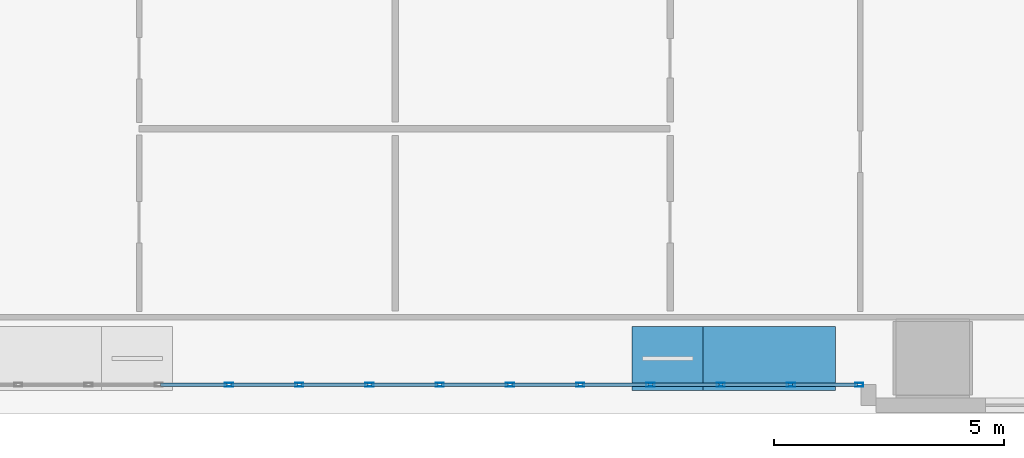
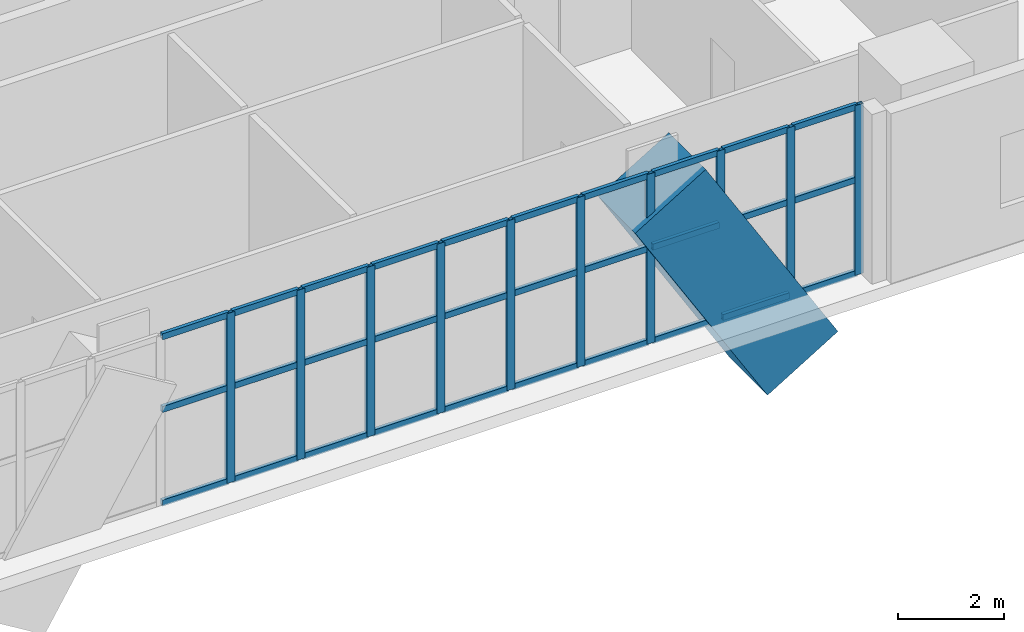
# One storey, part 4 of 20: 41 members, 1 element without a shape of its own.
"""IFC4 building model written with IfcOpenShell, lengths in metres."""

from ifc_helpers import new_model, si_unit, direction, frame, origin, origin_2d, place, context, subcontext, project, spatial, rectangle, hollow_rectangle, extrude, material, layer, layer_set, material_profile, profile_set, type_object, element, aggregate, save


model = new_model("IFC4")

# Units and contexts
model_context = context("Model", 3, precision=1e-05, world=origin(), true_north=direction((0.0, 1.0)))
body_context = subcontext(model_context, "Body", "Model", "MODEL_VIEW")
ifc_project = project(units=[si_unit("LENGTHUNIT", "METRE"), si_unit("AREAUNIT", "SQUARE_METRE"), si_unit("VOLUMEUNIT", "CUBIC_METRE"), si_unit("PLANEANGLEUNIT", "RADIAN"), si_unit("MASSUNIT", "GRAM", prefix="KILO")], contexts=[model_context])

# Site, building, storey
site_placement = place(None, origin())
site = spatial("IfcSite", under=ifc_project, at=site_placement, CompositionType="ELEMENT")
building_placement = place(site_placement, origin())
building = spatial("IfcBuilding", under=site, at=building_placement, Name="Solanera Arch Residences", CompositionType="ELEMENT")
storey_placement = place(building_placement, frame((0.0, 0.0, 9.39990234375)))
storey = spatial("IfcBuildingStorey", under=building, at=storey_placement, Name="L02", CompositionType="ELEMENT", Elevation=9.39990234375)

# Curtain wall, members
ifc_material_1 = material(Name="Anodised Aluminium Alloy 6063-T6", Category="aluminium")
ifc_layer = layer(ifc_material_1, 0.179931640625)
ifc_layer_set = layer_set([ifc_layer], Name="Anodised Aluminium Alloy 6063-T6")
curtain_wall_type = type_object("IfcCurtainWallType", Name="CW-1 Arch Portal Unitised Glazing", PredefinedType="USERDEFINED", material=ifc_layer_set)
curtain_wall_placement = place(storey_placement, origin())
curtain_wall = element("IfcCurtainWall", 1, at=curtain_wall_placement, inside=storey, type_object=curtain_wall_type, Name="L02 Arch Portal Unitised Curtain Wall", ObjectType="CURTAIN_WALL", PredefinedType="USERDEFINED")
ifc_material_2 = material(Name="Anodised Aluminium Alloy 6063-T6", Category="aluminium")
ifc_material_profile_1 = material_profile(ifc_material_2, hollow_rectangle(XDim=0.080078125, YDim=0.179931640625, WallThickness=0.00390625, at=origin_2d()))
ifc_profile_set_1 = profile_set([ifc_material_profile_1], Name="Anodised Aluminium Alloy 6063-T6")
member_type_1 = type_object("IfcMemberType", Name="Curtain Wall Mullion ALU-MUL-80X180", PredefinedType="MULLION", material=ifc_profile_set_1)
member_1_placement = place(storey_placement, frame((34.89990234375, 10.6298828125, 0.0), z_axis=(0.0, 0.0, 1.0), x_axis=(0.0, -1.0, 0.0)))
member_1 = element("IfcMember", 2, at=member_1_placement, type_object=member_type_1, Name="CW-1 mullion 1", PredefinedType="MULLION", context=body_context, shape_type="SweptSolid", body=[
    extrude(hollow_rectangle(XDim=0.080078125, YDim=0.179931640625, WallThickness=0.00390625, at=origin_2d()), origin(), (0.0, 0.0, 1.0), 3.920166015625),
])
member_2_placement = place(storey_placement, frame((33.410888671875, 10.6298828125, 0.0), z_axis=(0.0, 0.0, 1.0), x_axis=(0.0, -1.0, 0.0)))
member_2 = element("IfcMember", 3, at=member_2_placement, type_object=member_type_1, Name="CW-1 mullion 2", PredefinedType="MULLION", context=body_context, shape_type="SweptSolid", body=[
    extrude(hollow_rectangle(XDim=0.080078125, YDim=0.179931640625, WallThickness=0.00390625, at=origin_2d()), origin(), (0.0, 0.0, 1.0), 3.920166015625),
])
member_3_placement = place(storey_placement, frame((31.881591796875, 10.6298828125, 0.0), z_axis=(0.0, 0.0, 1.0), x_axis=(0.0, -1.0, 0.0)))
member_3 = element("IfcMember", 4, at=member_3_placement, type_object=member_type_1, Name="CW-1 mullion 3", PredefinedType="MULLION", context=body_context, shape_type="SweptSolid", body=[
    extrude(hollow_rectangle(XDim=0.080078125, YDim=0.179931640625, WallThickness=0.00390625, at=origin_2d()), origin(), (0.0, 0.0, 1.0), 3.920166015625),
])
member_4_placement = place(storey_placement, frame((30.352294921875, 10.6298828125, 0.0), z_axis=(0.0, 0.0, 1.0), x_axis=(0.0, -1.0, 0.0)))
member_4 = element("IfcMember", 5, at=member_4_placement, type_object=member_type_1, Name="CW-1 mullion 4", PredefinedType="MULLION", context=body_context, shape_type="SweptSolid", body=[
    extrude(hollow_rectangle(XDim=0.080078125, YDim=0.179931640625, WallThickness=0.00390625, at=origin_2d()), origin(), (0.0, 0.0, 1.0), 3.920166015625),
])
member_5_placement = place(storey_placement, frame((28.822998046875, 10.6298828125, 0.0), z_axis=(0.0, 0.0, 1.0), x_axis=(0.0, -1.0, 0.0)))
member_5 = element("IfcMember", 6, at=member_5_placement, type_object=member_type_1, Name="CW-1 mullion 5", PredefinedType="MULLION", context=body_context, shape_type="SweptSolid", body=[
    extrude(hollow_rectangle(XDim=0.080078125, YDim=0.179931640625, WallThickness=0.00390625, at=origin_2d()), origin(), (0.0, 0.0, 1.0), 3.920166015625),
])
member_6_placement = place(storey_placement, frame((27.2939453125, 10.6298828125, 0.0), z_axis=(0.0, 0.0, 1.0), x_axis=(0.0, -1.0, 0.0)))
member_6 = element("IfcMember", 7, at=member_6_placement, type_object=member_type_1, Name="CW-1 mullion 6", PredefinedType="MULLION", context=body_context, shape_type="SweptSolid", body=[
    extrude(hollow_rectangle(XDim=0.080078125, YDim=0.179931640625, WallThickness=0.00390625, at=origin_2d()), origin(), (0.0, 0.0, 1.0), 3.920166015625),
])
member_7_placement = place(storey_placement, frame((25.7646484375, 10.6298828125, 0.0), z_axis=(0.0, 0.0, 1.0), x_axis=(0.0, -1.0, 0.0)))
member_7 = element("IfcMember", 8, at=member_7_placement, type_object=member_type_1, Name="CW-1 mullion 7", PredefinedType="MULLION", context=body_context, shape_type="SweptSolid", body=[
    extrude(hollow_rectangle(XDim=0.080078125, YDim=0.179931640625, WallThickness=0.00390625, at=origin_2d()), origin(), (0.0, 0.0, 1.0), 3.920166015625),
])
member_8_placement = place(storey_placement, frame((24.2353515625, 10.6298828125, 0.0), z_axis=(0.0, 0.0, 1.0), x_axis=(0.0, -1.0, 0.0)))
member_8 = element("IfcMember", 9, at=member_8_placement, type_object=member_type_1, Name="CW-1 mullion 8", PredefinedType="MULLION", context=body_context, shape_type="SweptSolid", body=[
    extrude(hollow_rectangle(XDim=0.080078125, YDim=0.179931640625, WallThickness=0.00390625, at=origin_2d()), origin(), (0.0, 0.0, 1.0), 3.920166015625),
])
member_9_placement = place(storey_placement, frame((22.7060546875, 10.6298828125, 0.0), z_axis=(0.0, 0.0, 1.0), x_axis=(0.0, -1.0, 0.0)))
member_9 = element("IfcMember", 10, at=member_9_placement, type_object=member_type_1, Name="CW-1 mullion 9", PredefinedType="MULLION", context=body_context, shape_type="SweptSolid", body=[
    extrude(hollow_rectangle(XDim=0.080078125, YDim=0.179931640625, WallThickness=0.00390625, at=origin_2d()), origin(), (0.0, 0.0, 1.0), 3.920166015625),
])
member_10_placement = place(storey_placement, frame((21.177001953125, 10.6298828125, 0.0), z_axis=(0.0, 0.0, 1.0), x_axis=(0.0, -1.0, 0.0)))
member_10 = element("IfcMember", 11, at=member_10_placement, type_object=member_type_1, Name="CW-1 mullion 10", PredefinedType="MULLION", context=body_context, shape_type="SweptSolid", body=[
    extrude(hollow_rectangle(XDim=0.080078125, YDim=0.179931640625, WallThickness=0.00390625, at=origin_2d()), origin(), (0.0, 0.0, 1.0), 3.920166015625),
])
ifc_material_3 = material(Name="Anodised Aluminium Alloy 6063-T6", Category="aluminium")
ifc_material_profile_2 = material_profile(ifc_material_3, hollow_rectangle(XDim=0.080078125, YDim=0.139892578125, WallThickness=0.00390625, at=origin_2d()))
ifc_profile_set_2 = profile_set([ifc_material_profile_2], Name="Anodised Aluminium Alloy 6063-T6")
member_type_2 = type_object("IfcMemberType", Name="Curtain Wall Transom ALU-TRN-80X140", PredefinedType="USERDEFINED", material=ifc_profile_set_2)
member_11_placement = place(storey_placement, frame((34.860107421875, 10.6298828125, 0.0400390625), z_axis=(-1.0, 0.0, 0.0), x_axis=(0.0, -1.0, 0.0)))
member_11 = element("IfcMember", 12, at=member_11_placement, type_object=member_type_2, Name="CW-1 transom 1.1", ObjectType="TRANSOM", PredefinedType="USERDEFINED", context=body_context, shape_type="SweptSolid", body=[
    extrude(hollow_rectangle(XDim=0.080078125, YDim=0.139892578125, WallThickness=0.00390625, at=origin_2d()), origin(), (0.0, 0.0, 1.0), 1.409423828125),
])
member_12_placement = place(storey_placement, frame((34.860107421875, 10.6298828125, 2.2001953125), z_axis=(-1.0, 0.0, 0.0), x_axis=(0.0, -1.0, 0.0)))
member_12 = element("IfcMember", 13, at=member_12_placement, type_object=member_type_2, Name="CW-1 transom 1.2", ObjectType="TRANSOM", PredefinedType="USERDEFINED", context=body_context, shape_type="SweptSolid", body=[
    extrude(hollow_rectangle(XDim=0.080078125, YDim=0.139892578125, WallThickness=0.00390625, at=origin_2d()), origin(), (0.0, 0.0, 1.0), 1.409423828125),
])
member_13_placement = place(storey_placement, frame((34.860107421875, 10.6298828125, 3.880126953125), z_axis=(-1.0, 0.0, 0.0), x_axis=(0.0, -1.0, 0.0)))
member_13 = element("IfcMember", 14, at=member_13_placement, type_object=member_type_2, Name="CW-1 transom 1.3", ObjectType="TRANSOM", PredefinedType="USERDEFINED", context=body_context, shape_type="SweptSolid", body=[
    extrude(hollow_rectangle(XDim=0.080078125, YDim=0.139892578125, WallThickness=0.00390625, at=origin_2d()), origin(), (0.0, 0.0, 1.0), 1.409423828125),
])
member_14_placement = place(storey_placement, frame((33.370849609375, 10.6298828125, 0.0400390625), z_axis=(-1.0, 0.0, 0.0), x_axis=(0.0, -1.0, 0.0)))
member_14 = element("IfcMember", 15, at=member_14_placement, type_object=member_type_2, Name="CW-1 transom 2.1", ObjectType="TRANSOM", PredefinedType="USERDEFINED", context=body_context, shape_type="SweptSolid", body=[
    extrude(hollow_rectangle(XDim=0.080078125, YDim=0.139892578125, WallThickness=0.00390625, at=origin_2d()), origin(), (0.0, 0.0, 1.0), 1.44921875),
])
member_15_placement = place(storey_placement, frame((33.370849609375, 10.6298828125, 2.2001953125), z_axis=(-1.0, 0.0, 0.0), x_axis=(0.0, -1.0, 0.0)))
member_15 = element("IfcMember", 16, at=member_15_placement, type_object=member_type_2, Name="CW-1 transom 2.2", ObjectType="TRANSOM", PredefinedType="USERDEFINED", context=body_context, shape_type="SweptSolid", body=[
    extrude(hollow_rectangle(XDim=0.080078125, YDim=0.139892578125, WallThickness=0.00390625, at=origin_2d()), origin(), (0.0, 0.0, 1.0), 1.44921875),
])
member_16_placement = place(storey_placement, frame((33.370849609375, 10.6298828125, 3.880126953125), z_axis=(-1.0, 0.0, 0.0), x_axis=(0.0, -1.0, 0.0)))
member_16 = element("IfcMember", 17, at=member_16_placement, type_object=member_type_2, Name="CW-1 transom 2.3", ObjectType="TRANSOM", PredefinedType="USERDEFINED", context=body_context, shape_type="SweptSolid", body=[
    extrude(hollow_rectangle(XDim=0.080078125, YDim=0.139892578125, WallThickness=0.00390625, at=origin_2d()), origin(), (0.0, 0.0, 1.0), 1.44921875),
])
member_17_placement = place(storey_placement, frame((31.841552734375, 10.6298828125, 0.0400390625), z_axis=(-1.0, 0.0, 0.0), x_axis=(0.0, -1.0, 0.0)))
member_17 = element("IfcMember", 18, at=member_17_placement, type_object=member_type_2, Name="CW-1 transom 3.1", ObjectType="TRANSOM", PredefinedType="USERDEFINED", context=body_context, shape_type="SweptSolid", body=[
    extrude(hollow_rectangle(XDim=0.080078125, YDim=0.139892578125, WallThickness=0.00390625, at=origin_2d()), origin(), (0.0, 0.0, 1.0), 1.44921875),
])
member_18_placement = place(storey_placement, frame((31.841552734375, 10.6298828125, 2.2001953125), z_axis=(-1.0, 0.0, 0.0), x_axis=(0.0, -1.0, 0.0)))
member_18 = element("IfcMember", 19, at=member_18_placement, type_object=member_type_2, Name="CW-1 transom 3.2", ObjectType="TRANSOM", PredefinedType="USERDEFINED", context=body_context, shape_type="SweptSolid", body=[
    extrude(hollow_rectangle(XDim=0.080078125, YDim=0.139892578125, WallThickness=0.00390625, at=origin_2d()), origin(), (0.0, 0.0, 1.0), 1.44921875),
])
member_19_placement = place(storey_placement, frame((31.841552734375, 10.6298828125, 3.880126953125), z_axis=(-1.0, 0.0, 0.0), x_axis=(0.0, -1.0, 0.0)))
member_19 = element("IfcMember", 20, at=member_19_placement, type_object=member_type_2, Name="CW-1 transom 3.3", ObjectType="TRANSOM", PredefinedType="USERDEFINED", context=body_context, shape_type="SweptSolid", body=[
    extrude(hollow_rectangle(XDim=0.080078125, YDim=0.139892578125, WallThickness=0.00390625, at=origin_2d()), origin(), (0.0, 0.0, 1.0), 1.44921875),
])
member_20_placement = place(storey_placement, frame((30.312255859375, 10.6298828125, 0.0400390625), z_axis=(-1.0, 0.0, 0.0), x_axis=(0.0, -1.0, 0.0)))
member_20 = element("IfcMember", 21, at=member_20_placement, type_object=member_type_2, Name="CW-1 transom 4.1", ObjectType="TRANSOM", PredefinedType="USERDEFINED", context=body_context, shape_type="SweptSolid", body=[
    extrude(hollow_rectangle(XDim=0.080078125, YDim=0.139892578125, WallThickness=0.00390625, at=origin_2d()), origin(), (0.0, 0.0, 1.0), 1.44921875),
])
member_21_placement = place(storey_placement, frame((30.312255859375, 10.6298828125, 2.2001953125), z_axis=(-1.0, 0.0, 0.0), x_axis=(0.0, -1.0, 0.0)))
member_21 = element("IfcMember", 22, at=member_21_placement, type_object=member_type_2, Name="CW-1 transom 4.2", ObjectType="TRANSOM", PredefinedType="USERDEFINED", context=body_context, shape_type="SweptSolid", body=[
    extrude(hollow_rectangle(XDim=0.080078125, YDim=0.139892578125, WallThickness=0.00390625, at=origin_2d()), origin(), (0.0, 0.0, 1.0), 1.44921875),
])
member_22_placement = place(storey_placement, frame((30.312255859375, 10.6298828125, 3.880126953125), z_axis=(-1.0, 0.0, 0.0), x_axis=(0.0, -1.0, 0.0)))
member_22 = element("IfcMember", 23, at=member_22_placement, type_object=member_type_2, Name="CW-1 transom 4.3", ObjectType="TRANSOM", PredefinedType="USERDEFINED", context=body_context, shape_type="SweptSolid", body=[
    extrude(hollow_rectangle(XDim=0.080078125, YDim=0.139892578125, WallThickness=0.00390625, at=origin_2d()), origin(), (0.0, 0.0, 1.0), 1.44921875),
])
member_23_placement = place(storey_placement, frame((28.782958984375, 10.6298828125, 0.0400390625), z_axis=(-1.0, 0.0, 0.0), x_axis=(0.0, -1.0, 0.0)))
member_23 = element("IfcMember", 24, at=member_23_placement, type_object=member_type_2, Name="CW-1 transom 5.1", ObjectType="TRANSOM", PredefinedType="USERDEFINED", context=body_context, shape_type="SweptSolid", body=[
    extrude(hollow_rectangle(XDim=0.080078125, YDim=0.139892578125, WallThickness=0.00390625, at=origin_2d()), origin(), (0.0, 0.0, 1.0), 1.44921875),
])
member_24_placement = place(storey_placement, frame((28.782958984375, 10.6298828125, 2.2001953125), z_axis=(-1.0, 0.0, 0.0), x_axis=(0.0, -1.0, 0.0)))
member_24 = element("IfcMember", 25, at=member_24_placement, type_object=member_type_2, Name="CW-1 transom 5.2", ObjectType="TRANSOM", PredefinedType="USERDEFINED", context=body_context, shape_type="SweptSolid", body=[
    extrude(hollow_rectangle(XDim=0.080078125, YDim=0.139892578125, WallThickness=0.00390625, at=origin_2d()), origin(), (0.0, 0.0, 1.0), 1.44921875),
])
member_25_placement = place(storey_placement, frame((28.782958984375, 10.6298828125, 3.880126953125), z_axis=(-1.0, 0.0, 0.0), x_axis=(0.0, -1.0, 0.0)))
member_25 = element("IfcMember", 26, at=member_25_placement, type_object=member_type_2, Name="CW-1 transom 5.3", ObjectType="TRANSOM", PredefinedType="USERDEFINED", context=body_context, shape_type="SweptSolid", body=[
    extrude(hollow_rectangle(XDim=0.080078125, YDim=0.139892578125, WallThickness=0.00390625, at=origin_2d()), origin(), (0.0, 0.0, 1.0), 1.44921875),
])
member_26_placement = place(storey_placement, frame((27.25390625, 10.6298828125, 0.0400390625), z_axis=(-1.0, 0.0, 0.0), x_axis=(0.0, -1.0, 0.0)))
member_26 = element("IfcMember", 27, at=member_26_placement, type_object=member_type_2, Name="CW-1 transom 6.1", ObjectType="TRANSOM", PredefinedType="USERDEFINED", context=body_context, shape_type="SweptSolid", body=[
    extrude(hollow_rectangle(XDim=0.080078125, YDim=0.139892578125, WallThickness=0.00390625, at=origin_2d()), origin(), (0.0, 0.0, 1.0), 1.44921875),
])
member_27_placement = place(storey_placement, frame((27.25390625, 10.6298828125, 2.2001953125), z_axis=(-1.0, 0.0, 0.0), x_axis=(0.0, -1.0, 0.0)))
member_27 = element("IfcMember", 28, at=member_27_placement, type_object=member_type_2, Name="CW-1 transom 6.2", ObjectType="TRANSOM", PredefinedType="USERDEFINED", context=body_context, shape_type="SweptSolid", body=[
    extrude(hollow_rectangle(XDim=0.080078125, YDim=0.139892578125, WallThickness=0.00390625, at=origin_2d()), origin(), (0.0, 0.0, 1.0), 1.44921875),
])
member_28_placement = place(storey_placement, frame((27.25390625, 10.6298828125, 3.880126953125), z_axis=(-1.0, 0.0, 0.0), x_axis=(0.0, -1.0, 0.0)))
member_28 = element("IfcMember", 29, at=member_28_placement, type_object=member_type_2, Name="CW-1 transom 6.3", ObjectType="TRANSOM", PredefinedType="USERDEFINED", context=body_context, shape_type="SweptSolid", body=[
    extrude(hollow_rectangle(XDim=0.080078125, YDim=0.139892578125, WallThickness=0.00390625, at=origin_2d()), origin(), (0.0, 0.0, 1.0), 1.44921875),
])
member_29_placement = place(storey_placement, frame((25.724609375, 10.6298828125, 0.0400390625), z_axis=(-1.0, 0.0, 0.0), x_axis=(0.0, -1.0, 0.0)))
member_29 = element("IfcMember", 30, at=member_29_placement, type_object=member_type_2, Name="CW-1 transom 7.1", ObjectType="TRANSOM", PredefinedType="USERDEFINED", context=body_context, shape_type="SweptSolid", body=[
    extrude(hollow_rectangle(XDim=0.080078125, YDim=0.139892578125, WallThickness=0.00390625, at=origin_2d()), origin(), (0.0, 0.0, 1.0), 1.44921875),
])
member_30_placement = place(storey_placement, frame((25.724609375, 10.6298828125, 2.2001953125), z_axis=(-1.0, 0.0, 0.0), x_axis=(0.0, -1.0, 0.0)))
member_30 = element("IfcMember", 31, at=member_30_placement, type_object=member_type_2, Name="CW-1 transom 7.2", ObjectType="TRANSOM", PredefinedType="USERDEFINED", context=body_context, shape_type="SweptSolid", body=[
    extrude(hollow_rectangle(XDim=0.080078125, YDim=0.139892578125, WallThickness=0.00390625, at=origin_2d()), origin(), (0.0, 0.0, 1.0), 1.44921875),
])
member_31_placement = place(storey_placement, frame((25.724609375, 10.6298828125, 3.880126953125), z_axis=(-1.0, 0.0, 0.0), x_axis=(0.0, -1.0, 0.0)))
member_31 = element("IfcMember", 32, at=member_31_placement, type_object=member_type_2, Name="CW-1 transom 7.3", ObjectType="TRANSOM", PredefinedType="USERDEFINED", context=body_context, shape_type="SweptSolid", body=[
    extrude(hollow_rectangle(XDim=0.080078125, YDim=0.139892578125, WallThickness=0.00390625, at=origin_2d()), origin(), (0.0, 0.0, 1.0), 1.44921875),
])
member_32_placement = place(storey_placement, frame((24.1953125, 10.6298828125, 0.0400390625), z_axis=(-1.0, 0.0, 0.0), x_axis=(0.0, -1.0, 0.0)))
member_32 = element("IfcMember", 33, at=member_32_placement, type_object=member_type_2, Name="CW-1 transom 8.1", ObjectType="TRANSOM", PredefinedType="USERDEFINED", context=body_context, shape_type="SweptSolid", body=[
    extrude(hollow_rectangle(XDim=0.080078125, YDim=0.139892578125, WallThickness=0.00390625, at=origin_2d()), origin(), (0.0, 0.0, 1.0), 1.44921875),
])
member_33_placement = place(storey_placement, frame((24.1953125, 10.6298828125, 2.2001953125), z_axis=(-1.0, 0.0, 0.0), x_axis=(0.0, -1.0, 0.0)))
member_33 = element("IfcMember", 34, at=member_33_placement, type_object=member_type_2, Name="CW-1 transom 8.2", ObjectType="TRANSOM", PredefinedType="USERDEFINED", context=body_context, shape_type="SweptSolid", body=[
    extrude(hollow_rectangle(XDim=0.080078125, YDim=0.139892578125, WallThickness=0.00390625, at=origin_2d()), origin(), (0.0, 0.0, 1.0), 1.44921875),
])
member_34_placement = place(storey_placement, frame((24.1953125, 10.6298828125, 3.880126953125), z_axis=(-1.0, 0.0, 0.0), x_axis=(0.0, -1.0, 0.0)))
member_34 = element("IfcMember", 35, at=member_34_placement, type_object=member_type_2, Name="CW-1 transom 8.3", ObjectType="TRANSOM", PredefinedType="USERDEFINED", context=body_context, shape_type="SweptSolid", body=[
    extrude(hollow_rectangle(XDim=0.080078125, YDim=0.139892578125, WallThickness=0.00390625, at=origin_2d()), origin(), (0.0, 0.0, 1.0), 1.44921875),
])
member_35_placement = place(storey_placement, frame((22.666259765625, 10.6298828125, 0.0400390625), z_axis=(-1.0, 0.0, 0.0), x_axis=(0.0, -1.0, 0.0)))
member_35 = element("IfcMember", 36, at=member_35_placement, type_object=member_type_2, Name="CW-1 transom 9.1", ObjectType="TRANSOM", PredefinedType="USERDEFINED", context=body_context, shape_type="SweptSolid", body=[
    extrude(hollow_rectangle(XDim=0.080078125, YDim=0.139892578125, WallThickness=0.00390625, at=origin_2d()), origin(), (0.0, 0.0, 1.0), 1.44921875),
])
member_36_placement = place(storey_placement, frame((22.666259765625, 10.6298828125, 2.2001953125), z_axis=(-1.0, 0.0, 0.0), x_axis=(0.0, -1.0, 0.0)))
member_36 = element("IfcMember", 37, at=member_36_placement, type_object=member_type_2, Name="CW-1 transom 9.2", ObjectType="TRANSOM", PredefinedType="USERDEFINED", context=body_context, shape_type="SweptSolid", body=[
    extrude(hollow_rectangle(XDim=0.080078125, YDim=0.139892578125, WallThickness=0.00390625, at=origin_2d()), origin(), (0.0, 0.0, 1.0), 1.44921875),
])
member_37_placement = place(storey_placement, frame((22.666259765625, 10.6298828125, 3.880126953125), z_axis=(-1.0, 0.0, 0.0), x_axis=(0.0, -1.0, 0.0)))
member_37 = element("IfcMember", 38, at=member_37_placement, type_object=member_type_2, Name="CW-1 transom 9.3", ObjectType="TRANSOM", PredefinedType="USERDEFINED", context=body_context, shape_type="SweptSolid", body=[
    extrude(hollow_rectangle(XDim=0.080078125, YDim=0.139892578125, WallThickness=0.00390625, at=origin_2d()), origin(), (0.0, 0.0, 1.0), 1.44921875),
])
member_38_placement = place(storey_placement, frame((21.136962890625, 10.6298828125, 0.0400390625), z_axis=(-1.0, 0.0, 0.0), x_axis=(0.0, -1.0, 0.0)))
member_38 = element("IfcMember", 39, at=member_38_placement, type_object=member_type_2, Name="CW-1 transom 10.1", ObjectType="TRANSOM", PredefinedType="USERDEFINED", context=body_context, shape_type="SweptSolid", body=[
    extrude(hollow_rectangle(XDim=0.080078125, YDim=0.139892578125, WallThickness=0.00390625, at=origin_2d()), origin(), (0.0, 0.0, 1.0), 1.44921875),
])
member_39_placement = place(storey_placement, frame((21.136962890625, 10.6298828125, 2.2001953125), z_axis=(-1.0, 0.0, 0.0), x_axis=(0.0, -1.0, 0.0)))
member_39 = element("IfcMember", 40, at=member_39_placement, type_object=member_type_2, Name="CW-1 transom 10.2", ObjectType="TRANSOM", PredefinedType="USERDEFINED", context=body_context, shape_type="SweptSolid", body=[
    extrude(hollow_rectangle(XDim=0.080078125, YDim=0.139892578125, WallThickness=0.00390625, at=origin_2d()), origin(), (0.0, 0.0, 1.0), 1.44921875),
])
member_40_placement = place(storey_placement, frame((21.136962890625, 10.6298828125, 3.880126953125), z_axis=(-1.0, 0.0, 0.0), x_axis=(0.0, -1.0, 0.0)))
member_40 = element("IfcMember", 41, at=member_40_placement, type_object=member_type_2, Name="CW-1 transom 10.3", ObjectType="TRANSOM", PredefinedType="USERDEFINED", context=body_context, shape_type="SweptSolid", body=[
    extrude(hollow_rectangle(XDim=0.080078125, YDim=0.139892578125, WallThickness=0.00390625, at=origin_2d()), origin(), (0.0, 0.0, 1.0), 1.44921875),
])
aggregate(curtain_wall, [member_1, member_2, member_3, member_4, member_5, member_6, member_7, member_8, member_9, member_10, member_11, member_12, member_13, member_14, member_15, member_16, member_17, member_18, member_19, member_20, member_21, member_22, member_23, member_24, member_25, member_26, member_27, member_28, member_29, member_30, member_31, member_32, member_33, member_34, member_35, member_36, member_37, member_38, member_39, member_40])

# Member
ifc_material_4 = material(Name="Concrete C55/67 (f'c = 60 MPa)", Category="concrete")
ifc_material_profile_3 = material_profile(ifc_material_4, rectangle(XDim=1.39990234375, YDim=1.800048828125, at=origin_2d()))
ifc_profile_set_3 = profile_set([ifc_material_profile_3], Name="Concrete C55/67 (f'c = 60 MPa)")
member_type_3 = type_object("IfcMemberType", Name="Truss Chord RC-ARCH-1400X1800", PredefinedType="CHORD", material=ifc_profile_set_3)
member_41_placement = place(storey_placement, frame((30.72509765625, 11.199951171875, 3.2001953125), z_axis=(0.519505214442, 0.0, -0.854467279752), x_axis=(0.0, 1.0, 0.0)))
element("IfcMember", 42, at=member_41_placement, inside=storey, type_object=member_type_3, Name="Monumental Podium Concrete Arch Rib 7", PredefinedType="CHORD", context=body_context, shape_type="SweptSolid", body=[
    extrude(rectangle(XDim=1.39990234375, YDim=1.800048828125, at=origin_2d()), origin(), (0.0, 0.0, 1.0), 5.55908203125),
])

save(model, "model.ifc")
